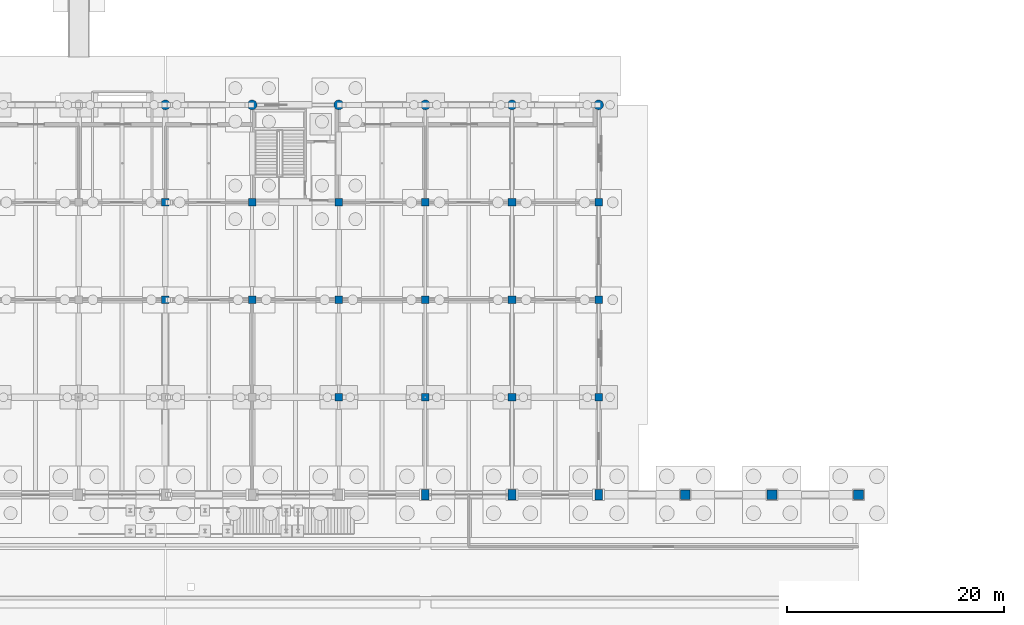
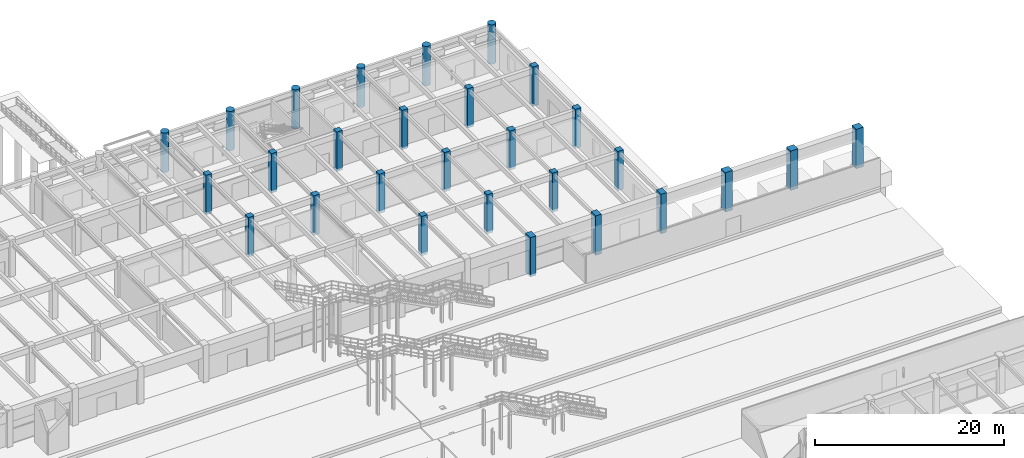
# One storey, part 22 of 147: 28 columns.
"""IFC4 building model written with IfcOpenShell, lengths in metres."""

from ifc_helpers import new_model, si_unit, direction, frame, origin, origin_2d, place, context, subcontext, project, spatial, rectangle, circle, extrude, material, material_profile, profile_set, type_object, element, save


model = new_model("IFC4")

# Units and contexts
model_context = context("Model", 3, precision=1e-05, world=origin(), true_north=direction((0.0, 1.0)))
body_context = subcontext(model_context, "Body", "Model", "MODEL_VIEW")
ifc_project = project(units=[si_unit("LENGTHUNIT", "METRE"), si_unit("AREAUNIT", "SQUARE_METRE"), si_unit("VOLUMEUNIT", "CUBIC_METRE"), si_unit("PLANEANGLEUNIT", "RADIAN"), si_unit("MASSUNIT", "GRAM", prefix="KILO")], contexts=[model_context])

# Site, building, storey
site_placement = place(None, origin())
site = spatial("IfcSite", under=ifc_project, at=site_placement, CompositionType="ELEMENT")
building_placement = place(site_placement, origin())
building = spatial("IfcBuilding", under=site, at=building_placement, Name="Varnabhumi Central Station", CompositionType="ELEMENT")
storey_placement = place(building_placement, origin())
storey = spatial("IfcBuildingStorey", under=building, at=storey_placement, Name="L00", CompositionType="ELEMENT", Elevation=0.0)

# Columns
ifc_material_1 = material(Name="Concrete M40", Category="concrete")
ifc_material_profile_1 = material_profile(ifc_material_1, rectangle(XDim=0.699951171875, YDim=0.699951171875, at=origin_2d()), Name="Concrete M40", Category="concrete")
ifc_profile_set_1 = profile_set([ifc_material_profile_1], Name="Concrete M40")
column_type_1 = type_object("IfcColumnType", Name="COL-NORTH-700", PredefinedType="COLUMN", material=ifc_profile_set_1)
for number, where, z_axis, x_axis, name in (
    (1, (120.0, 98.0, -0.300048828125), (0.0, 0.0, 1.0), (1.0, 0.0, 0.0), "Column L00-16M"),
    (2, (120.0, 107.0, -0.300048828125), (0.0, 0.0, 1.0), (1.0, 0.0, 0.0), "Column L00-16N"),
    (3, (128.0, 98.0, -0.300048828125), (0.0, 0.0, 1.0), (1.0, 0.0, 0.0), "Column L00-17M"),
    (4, (128.0, 107.0, -0.300048828125), (0.0, 0.0, 1.0), (1.0, 0.0, 0.0), "Column L00-17N"),
    (5, (136.0, 89.0, -0.300048828125), (0.0, 0.0, 1.0), (1.0, 0.0, 0.0), "Column L00-18L"),
    (6, (136.0, 98.0, -0.300048828125), (0.0, 0.0, 1.0), (1.0, 0.0, 0.0), "Column L00-18M"),
    (7, (136.0, 107.0, -0.300048828125), (0.0, 0.0, 1.0), (1.0, 0.0, 0.0), "Column L00-18N"),
    (8, (144.0, 89.0, -0.300048828125), (0.0, 0.0, 1.0), (1.0, 0.0, 0.0), "Column L00-19L"),
    (9, (144.0, 98.0, -0.300048828125), (0.0, 0.0, 1.0), (1.0, 0.0, 0.0), "Column L00-19M"),
    (10, (144.0, 107.0, -0.300048828125), (0.0, 0.0, 1.0), (1.0, 0.0, 0.0), "Column L00-19N"),
    (11, (152.0, 89.0, -0.300048828125), (0.0, 0.0, 1.0), (1.0, 0.0, 0.0), "Column L00-20L"),
    (12, (152.0, 98.0, -0.300048828125), (0.0, 0.0, 1.0), (1.0, 0.0, 0.0), "Column L00-20M"),
    (13, (152.0, 107.0, -0.300048828125), (0.0, 0.0, 1.0), (1.0, 0.0, 0.0), "Column L00-20N"),
    (14, (160.0, 89.0, -0.300048828125), (0.0, 0.0, 1.0), (1.0, 0.0, 0.0), "Column L00-21L"),
    (15, (160.0, 98.0, -0.300048828125), (0.0, 0.0, 1.0), (1.0, 0.0, 0.0), "Column L00-21M"),
    (16, (160.0, 107.0, -0.300048828125), (0.0, 0.0, 1.0), (1.0, 0.0, 0.0), "Column L00-21N"),
):
    element("IfcColumn", number, at=place(storey_placement, frame(where, z_axis=z_axis, x_axis=x_axis)), inside=storey, type_object=column_type_1, Name=name, PredefinedType="COLUMN", context=body_context, shape_type="SweptSolid", body=[
        extrude(rectangle(XDim=0.699951171875, YDim=0.699951171875, at=origin_2d()), origin(), (0.0, 0.0, 1.0), 5.10009765625),
    ])
ifc_material_profile_2 = material_profile(ifc_material_1, circle(Radius=0.449951171875, at=origin_2d()), Name="Concrete M40", Category="concrete")
ifc_profile_set_2 = profile_set([ifc_material_profile_2], Name="Concrete M40")
column_type_2 = type_object("IfcColumnType", Name="COL-PORTAL-D900", PredefinedType="PILASTER", material=ifc_profile_set_2)
for number, where, z_axis, x_axis, name in (
    (17, (120.0, 116.0, -0.300048828125), (0.0, 0.0, 1.0), (1.0, 0.0, 0.0), "Column L00-16P"),
    (18, (128.0, 116.0, -0.300048828125), (0.0, 0.0, 1.0), (1.0, 0.0, 0.0), "Column L00-17P"),
    (19, (136.0, 116.0, -0.300048828125), (0.0, 0.0, 1.0), (1.0, 0.0, 0.0), "Column L00-18P"),
    (20, (144.0, 116.0, -0.300048828125), (0.0, 0.0, 1.0), (1.0, 0.0, 0.0), "Column L00-19P"),
    (21, (152.0, 116.0, -0.300048828125), (0.0, 0.0, 1.0), (1.0, 0.0, 0.0), "Column L00-20P"),
    (22, (160.0, 116.0, -0.300048828125), (0.0, 0.0, 1.0), (1.0, 0.0, 0.0), "Column L00-21P"),
):
    element("IfcColumn", number, at=place(storey_placement, frame(where, z_axis=z_axis, x_axis=x_axis)), inside=storey, type_object=column_type_2, Name=name, PredefinedType="PILASTER", context=body_context, shape_type="SweptSolid", body=[
        extrude(circle(Radius=0.449951171875, at=origin_2d()), origin(), (0.0, 0.0, 1.0), 5.10009765625),
    ])
ifc_material_2 = material(Name="Concrete M50", Category="concrete")
ifc_material_profile_3 = material_profile(ifc_material_2, rectangle(XDim=0.699951171875, YDim=1.0, at=origin_2d()), Name="Concrete M50", Category="concrete")
ifc_profile_set_3 = profile_set([ifc_material_profile_3], Name="Concrete M50")
column_type_3 = type_object("IfcColumnType", Name="COL-SPINE-M50-1000x700", PredefinedType="COLUMN", material=ifc_profile_set_3)
for number, where, z_axis, x_axis, name in (
    (23, (144.0, 80.0, -0.300048828125), (0.0, 0.0, 1.0), (1.0, 0.0, 0.0), "Column L00-19K"),
    (24, (152.0, 80.0, -0.300048828125), (0.0, 0.0, 1.0), (1.0, 0.0, 0.0), "Column L00-20K"),
    (25, (160.0, 80.0, -0.300048828125), (0.0, 0.0, 1.0), (1.0, 0.0, 0.0), "Column L00-21K"),
):
    element("IfcColumn", number, at=place(storey_placement, frame(where, z_axis=z_axis, x_axis=x_axis)), inside=storey, type_object=column_type_3, Name=name, PredefinedType="COLUMN", context=body_context, shape_type="SweptSolid", body=[
        extrude(rectangle(XDim=0.699951171875, YDim=1.0, at=origin_2d()), origin(), (0.0, 0.0, 1.0), 5.10009765625),
    ])
ifc_material_profile_4 = material_profile(ifc_material_2, rectangle(XDim=0.89990234375, YDim=0.89990234375, at=origin_2d()), Name="Concrete M50", Category="concrete")
ifc_profile_set_4 = profile_set([ifc_material_profile_4], Name="Concrete M50")
column_type_4 = type_object("IfcColumnType", Name="COL-SPINE-M50-900x900", PredefinedType="COLUMN", material=ifc_profile_set_4)
for number, where, z_axis, x_axis, name in (
    (26, (168.0, 80.0, -0.300048828125), (0.0, 0.0, 1.0), (1.0, 0.0, 0.0), "Column L00-22K"),
    (27, (176.0, 80.0, -0.300048828125), (0.0, 0.0, 1.0), (1.0, 0.0, 0.0), "Column L00-23K"),
    (28, (184.0, 80.0, -0.300048828125), (0.0, 0.0, 1.0), (1.0, 0.0, 0.0), "Column L00-24K"),
):
    element("IfcColumn", number, at=place(storey_placement, frame(where, z_axis=z_axis, x_axis=x_axis)), inside=storey, type_object=column_type_4, Name=name, PredefinedType="COLUMN", context=body_context, shape_type="SweptSolid", body=[
        extrude(rectangle(XDim=0.89990234375, YDim=0.89990234375, at=origin_2d()), origin(), (0.0, 0.0, 1.0), 5.10009765625),
    ])

save(model, "model.ifc")
